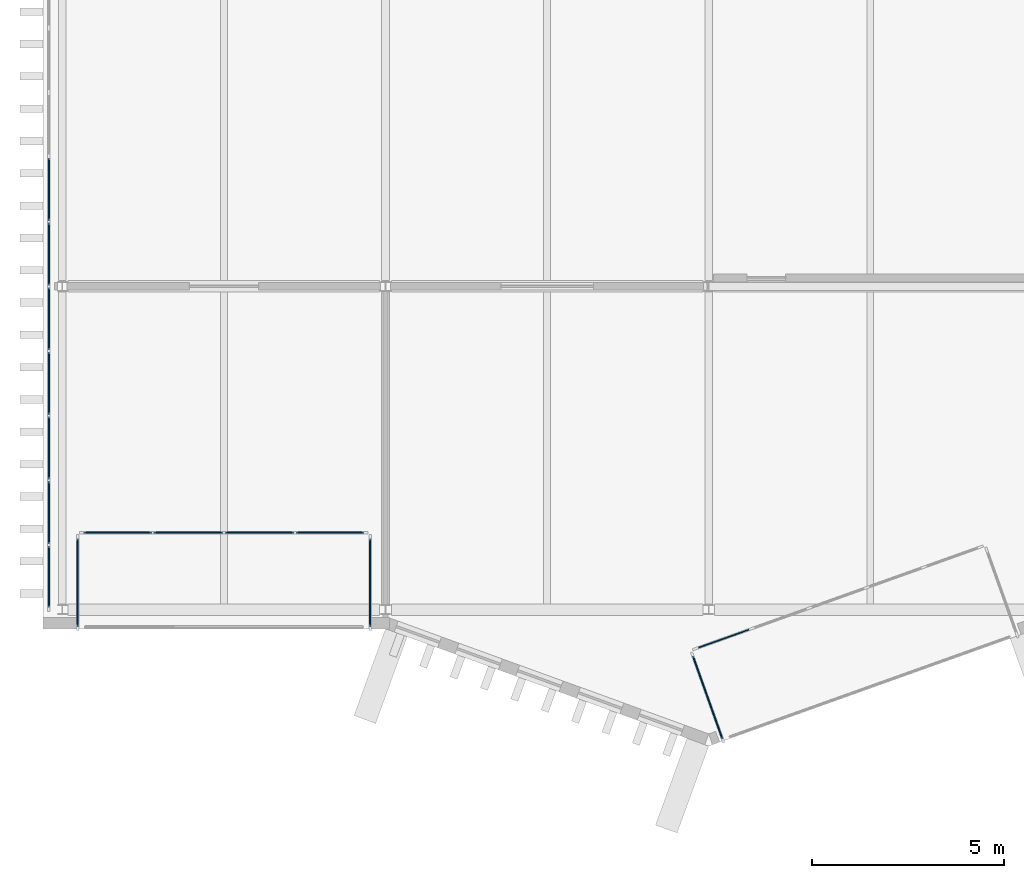
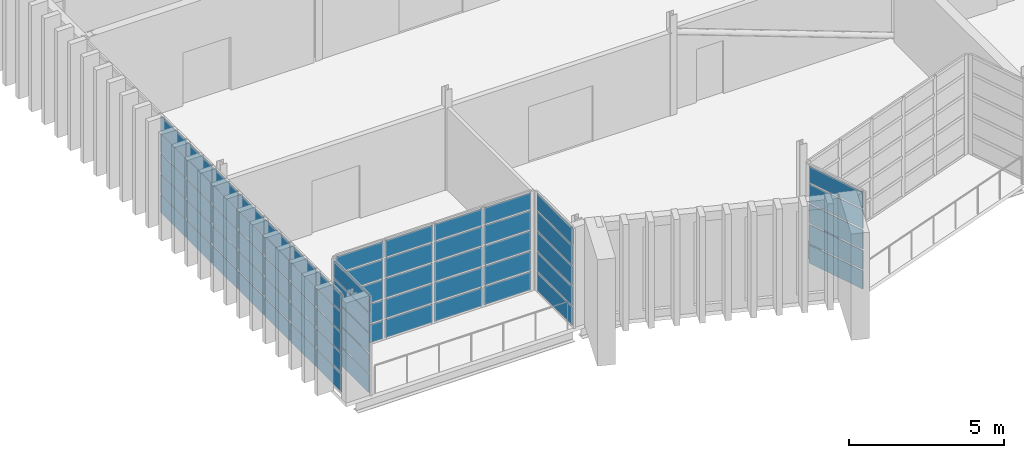
# One storey, part 41 of 88: 71 plates, 6 elements without a shape of their own.
"""IFC4 building model written with IfcOpenShell, lengths in metres."""

from ifc_helpers import new_model, si_unit, direction, frame, origin, origin_2d, place, context, subcontext, project, spatial, rectangle, extrude, material, layer, layer_set, type_object, element, aggregate, save


model = new_model("IFC4")

# Units and contexts
model_context = context("Model", 3, precision=1e-05, world=origin(), true_north=direction((0.0, 1.0)))
body_context = subcontext(model_context, "Body", "Model", "MODEL_VIEW")
ifc_project = project(units=[si_unit("LENGTHUNIT", "METRE"), si_unit("AREAUNIT", "SQUARE_METRE"), si_unit("VOLUMEUNIT", "CUBIC_METRE"), si_unit("PLANEANGLEUNIT", "RADIAN"), si_unit("MASSUNIT", "GRAM", prefix="KILO")], contexts=[model_context])

# Site, building, storey
site_placement = place(None, origin())
site = spatial("IfcSite", under=ifc_project, at=site_placement, CompositionType="ELEMENT")
building_placement = place(site_placement, origin())
building = spatial("IfcBuilding", under=site, at=building_placement, Name="Cresset Court Congress Hotel", CompositionType="ELEMENT")
storey_placement = place(building_placement, frame((0.0, 0.0, 14.39990234375)))
storey = spatial("IfcBuildingStorey", under=building, at=storey_placement, Name="L03", CompositionType="ELEMENT", Elevation=14.39990234375)

# Curtain wall, plates
ifc_material_1 = material(Name="Aluminium frame with double glazing", Category="aluminium")
ifc_layer_1 = layer(ifc_material_1, 0.199951171875)
ifc_layer_set_1 = layer_set([ifc_layer_1], Name="Glazed box curtain wall 1680 module")
curtain_wall_type = type_object("IfcCurtainWallType", Name="Glazed box curtain wall 1680 module", PredefinedType="NOTDEFINED", material=ifc_layer_set_1)
curtain_wall_1_placement = place(storey_placement, origin())
curtain_wall_1 = element("IfcCurtainWall", 1, at=curtain_wall_1_placement, inside=storey, type_object=curtain_wall_type, Name="Glazed box S0302 front", PredefinedType="NOTDEFINED")
ifc_material_2 = material(Name="Toughened double glazing", Category="glass")
ifc_layer_2 = layer(ifc_material_2, 0.028076171875)
ifc_layer_set_2 = layer_set([ifc_layer_2], Name="Box glass panel 28")
plate_type_1 = type_object("IfcPlateType", Name="Box glass panel 28", PredefinedType="CURTAIN_PANEL", material=ifc_layer_set_2)
plate_1_placement = place(storey_placement, frame((9.840087890625, 2.0, 0.06005859375), z_axis=(0.0, 0.0, 1.0), x_axis=(1.0, 0.0, 0.0)))
plate_1 = element("IfcPlate", 2, at=plate_1_placement, type_object=plate_type_1, Name="B-X1 panel 1.1", PredefinedType="CURTAIN_PANEL", context=body_context, shape_type="SweptSolid", body=[
    extrude(rectangle(XDim=1.760009765625, YDim=0.028076171875, at=origin_2d()), origin(), (0.0, 0.0, 1.0), 0.715087890625),
])
plate_2_placement = place(storey_placement, frame((9.840087890625, 2.0, 0.8349609375), z_axis=(0.0, 0.0, 1.0), x_axis=(1.0, 0.0, 0.0)))
plate_2 = element("IfcPlate", 3, at=plate_2_placement, type_object=plate_type_1, Name="B-X1 panel 1.2", PredefinedType="CURTAIN_PANEL", context=body_context, shape_type="SweptSolid", body=[
    extrude(rectangle(XDim=1.760009765625, YDim=0.028076171875, at=origin_2d()), origin(), (0.0, 0.0, 1.0), 0.7451171875),
])
plate_3_placement = place(storey_placement, frame((9.840087890625, 2.0, 1.64013671875), z_axis=(0.0, 0.0, 1.0), x_axis=(1.0, 0.0, 0.0)))
plate_3 = element("IfcPlate", 4, at=plate_3_placement, type_object=plate_type_1, Name="B-X1 panel 1.3", PredefinedType="CURTAIN_PANEL", context=body_context, shape_type="SweptSolid", body=[
    extrude(rectangle(XDim=1.760009765625, YDim=0.028076171875, at=origin_2d()), origin(), (0.0, 0.0, 1.0), 0.7451171875),
])
plate_4_placement = place(storey_placement, frame((9.840087890625, 2.0, 2.445068359375), z_axis=(0.0, 0.0, 1.0), x_axis=(1.0, 0.0, 0.0)))
plate_4 = element("IfcPlate", 5, at=plate_4_placement, type_object=plate_type_1, Name="B-X1 panel 1.4", PredefinedType="CURTAIN_PANEL", context=body_context, shape_type="SweptSolid", body=[
    extrude(rectangle(XDim=1.760009765625, YDim=0.028076171875, at=origin_2d()), origin(), (0.0, 0.0, 1.0), 0.7451171875),
])
plate_5_placement = place(storey_placement, frame((11.675048828125, 2.0, 0.06005859375), z_axis=(0.0, 0.0, 1.0), x_axis=(1.0, 0.0, 0.0)))
plate_5 = element("IfcPlate", 6, at=plate_5_placement, type_object=plate_type_1, Name="B-X1 panel 2.1", PredefinedType="CURTAIN_PANEL", context=body_context, shape_type="SweptSolid", body=[
    extrude(rectangle(XDim=1.7900390625, YDim=0.028076171875, at=origin_2d()), origin(), (0.0, 0.0, 1.0), 0.715087890625),
])
plate_6_placement = place(storey_placement, frame((11.675048828125, 2.0, 0.8349609375), z_axis=(0.0, 0.0, 1.0), x_axis=(1.0, 0.0, 0.0)))
plate_6 = element("IfcPlate", 7, at=plate_6_placement, type_object=plate_type_1, Name="B-X1 panel 2.2", PredefinedType="CURTAIN_PANEL", context=body_context, shape_type="SweptSolid", body=[
    extrude(rectangle(XDim=1.7900390625, YDim=0.028076171875, at=origin_2d()), origin(), (0.0, 0.0, 1.0), 0.7451171875),
])
plate_7_placement = place(storey_placement, frame((11.675048828125, 2.0, 1.64013671875), z_axis=(0.0, 0.0, 1.0), x_axis=(1.0, 0.0, 0.0)))
plate_7 = element("IfcPlate", 8, at=plate_7_placement, type_object=plate_type_1, Name="B-X1 panel 2.3", PredefinedType="CURTAIN_PANEL", context=body_context, shape_type="SweptSolid", body=[
    extrude(rectangle(XDim=1.7900390625, YDim=0.028076171875, at=origin_2d()), origin(), (0.0, 0.0, 1.0), 0.7451171875),
])
plate_8_placement = place(storey_placement, frame((11.675048828125, 2.0, 2.445068359375), z_axis=(0.0, 0.0, 1.0), x_axis=(1.0, 0.0, 0.0)))
plate_8 = element("IfcPlate", 9, at=plate_8_placement, type_object=plate_type_1, Name="B-X1 panel 2.4", PredefinedType="CURTAIN_PANEL", context=body_context, shape_type="SweptSolid", body=[
    extrude(rectangle(XDim=1.7900390625, YDim=0.028076171875, at=origin_2d()), origin(), (0.0, 0.0, 1.0), 0.7451171875),
])
plate_9_placement = place(storey_placement, frame((13.52490234375, 2.0, 0.06005859375), z_axis=(0.0, 0.0, 1.0), x_axis=(1.0, 0.0, 0.0)))
plate_9 = element("IfcPlate", 10, at=plate_9_placement, type_object=plate_type_1, Name="B-X1 panel 3.1", PredefinedType="CURTAIN_PANEL", context=body_context, shape_type="SweptSolid", body=[
    extrude(rectangle(XDim=1.7900390625, YDim=0.028076171875, at=origin_2d()), origin(), (0.0, 0.0, 1.0), 0.715087890625),
])
plate_10_placement = place(storey_placement, frame((13.52490234375, 2.0, 0.8349609375), z_axis=(0.0, 0.0, 1.0), x_axis=(1.0, 0.0, 0.0)))
plate_10 = element("IfcPlate", 11, at=plate_10_placement, type_object=plate_type_1, Name="B-X1 panel 3.2", PredefinedType="CURTAIN_PANEL", context=body_context, shape_type="SweptSolid", body=[
    extrude(rectangle(XDim=1.7900390625, YDim=0.028076171875, at=origin_2d()), origin(), (0.0, 0.0, 1.0), 0.7451171875),
])
plate_11_placement = place(storey_placement, frame((13.52490234375, 2.0, 1.64013671875), z_axis=(0.0, 0.0, 1.0), x_axis=(1.0, 0.0, 0.0)))
plate_11 = element("IfcPlate", 12, at=plate_11_placement, type_object=plate_type_1, Name="B-X1 panel 3.3", PredefinedType="CURTAIN_PANEL", context=body_context, shape_type="SweptSolid", body=[
    extrude(rectangle(XDim=1.7900390625, YDim=0.028076171875, at=origin_2d()), origin(), (0.0, 0.0, 1.0), 0.7451171875),
])
plate_12_placement = place(storey_placement, frame((13.52490234375, 2.0, 2.445068359375), z_axis=(0.0, 0.0, 1.0), x_axis=(1.0, 0.0, 0.0)))
plate_12 = element("IfcPlate", 13, at=plate_12_placement, type_object=plate_type_1, Name="B-X1 panel 3.4", PredefinedType="CURTAIN_PANEL", context=body_context, shape_type="SweptSolid", body=[
    extrude(rectangle(XDim=1.7900390625, YDim=0.028076171875, at=origin_2d()), origin(), (0.0, 0.0, 1.0), 0.7451171875),
])
plate_13_placement = place(storey_placement, frame((15.360107421875, 2.0, 0.06005859375), z_axis=(0.0, 0.0, 1.0), x_axis=(1.0, 0.0, 0.0)))
plate_13 = element("IfcPlate", 14, at=plate_13_placement, type_object=plate_type_1, Name="B-X1 panel 4.1", PredefinedType="CURTAIN_PANEL", context=body_context, shape_type="SweptSolid", body=[
    extrude(rectangle(XDim=1.760009765625, YDim=0.028076171875, at=origin_2d()), origin(), (0.0, 0.0, 1.0), 0.715087890625),
])
plate_14_placement = place(storey_placement, frame((15.360107421875, 2.0, 0.8349609375), z_axis=(0.0, 0.0, 1.0), x_axis=(1.0, 0.0, 0.0)))
plate_14 = element("IfcPlate", 15, at=plate_14_placement, type_object=plate_type_1, Name="B-X1 panel 4.2", PredefinedType="CURTAIN_PANEL", context=body_context, shape_type="SweptSolid", body=[
    extrude(rectangle(XDim=1.760009765625, YDim=0.028076171875, at=origin_2d()), origin(), (0.0, 0.0, 1.0), 0.7451171875),
])
plate_15_placement = place(storey_placement, frame((15.360107421875, 2.0, 1.64013671875), z_axis=(0.0, 0.0, 1.0), x_axis=(1.0, 0.0, 0.0)))
plate_15 = element("IfcPlate", 16, at=plate_15_placement, type_object=plate_type_1, Name="B-X1 panel 4.3", PredefinedType="CURTAIN_PANEL", context=body_context, shape_type="SweptSolid", body=[
    extrude(rectangle(XDim=1.760009765625, YDim=0.028076171875, at=origin_2d()), origin(), (0.0, 0.0, 1.0), 0.7451171875),
])
plate_16_placement = place(storey_placement, frame((15.360107421875, 2.0, 2.445068359375), z_axis=(0.0, 0.0, 1.0), x_axis=(1.0, 0.0, 0.0)))
plate_16 = element("IfcPlate", 17, at=plate_16_placement, type_object=plate_type_1, Name="B-X1 panel 4.4", PredefinedType="CURTAIN_PANEL", context=body_context, shape_type="SweptSolid", body=[
    extrude(rectangle(XDim=1.760009765625, YDim=0.028076171875, at=origin_2d()), origin(), (0.0, 0.0, 1.0), 0.7451171875),
])

curtain_wall_2_placement = place(storey_placement, origin())
curtain_wall_2 = element("IfcCurtainWall", 18, at=curtain_wall_2_placement, inside=storey, type_object=curtain_wall_type, Name="Glazed box S0302 side", PredefinedType="NOTDEFINED")
plate_17_placement = place(storey_placement, frame((8.800048828125, 0.699951171875, 0.06005859375), z_axis=(0.0, 0.0, 1.0), x_axis=(0.0, 1.0, 0.0)))
plate_17 = element("IfcPlate", 19, at=plate_17_placement, type_object=plate_type_1, Name="B-X1 panel 1.1", PredefinedType="CURTAIN_PANEL", context=body_context, shape_type="SweptSolid", body=[
    extrude(rectangle(XDim=2.280029296875, YDim=0.028076171875, at=origin_2d()), origin(), (0.0, 0.0, 1.0), 0.715087890625),
])
plate_18_placement = place(storey_placement, frame((8.800048828125, 0.699951171875, 0.8349609375), z_axis=(0.0, 0.0, 1.0), x_axis=(0.0, 1.0, 0.0)))
plate_18 = element("IfcPlate", 20, at=plate_18_placement, type_object=plate_type_1, Name="B-X1 panel 1.2", PredefinedType="CURTAIN_PANEL", context=body_context, shape_type="SweptSolid", body=[
    extrude(rectangle(XDim=2.280029296875, YDim=0.028076171875, at=origin_2d()), origin(), (0.0, 0.0, 1.0), 0.7451171875),
])
plate_19_placement = place(storey_placement, frame((8.800048828125, 0.699951171875, 1.64013671875), z_axis=(0.0, 0.0, 1.0), x_axis=(0.0, 1.0, 0.0)))
plate_19 = element("IfcPlate", 21, at=plate_19_placement, type_object=plate_type_1, Name="B-X1 panel 1.3", PredefinedType="CURTAIN_PANEL", context=body_context, shape_type="SweptSolid", body=[
    extrude(rectangle(XDim=2.280029296875, YDim=0.028076171875, at=origin_2d()), origin(), (0.0, 0.0, 1.0), 0.7451171875),
])
plate_20_placement = place(storey_placement, frame((8.800048828125, 0.699951171875, 2.445068359375), z_axis=(0.0, 0.0, 1.0), x_axis=(0.0, 1.0, 0.0)))
plate_20 = element("IfcPlate", 22, at=plate_20_placement, type_object=plate_type_1, Name="B-X1 panel 1.4", PredefinedType="CURTAIN_PANEL", context=body_context, shape_type="SweptSolid", body=[
    extrude(rectangle(XDim=2.280029296875, YDim=0.028076171875, at=origin_2d()), origin(), (0.0, 0.0, 1.0), 0.7451171875),
])

curtain_wall_3_placement = place(storey_placement, origin())
curtain_wall_3 = element("IfcCurtainWall", 23, at=curtain_wall_3_placement, inside=storey, type_object=curtain_wall_type, Name="Glazed box S0302 side", PredefinedType="NOTDEFINED")
plate_21_placement = place(storey_placement, frame((16.39990234375, 0.699951171875, 0.06005859375), z_axis=(0.0, 0.0, 1.0), x_axis=(0.0, 1.0, 0.0)))
plate_21 = element("IfcPlate", 24, at=plate_21_placement, type_object=plate_type_1, Name="B-X1 panel 1.1", PredefinedType="CURTAIN_PANEL", context=body_context, shape_type="SweptSolid", body=[
    extrude(rectangle(XDim=2.280029296875, YDim=0.028076171875, at=origin_2d()), origin(), (0.0, 0.0, 1.0), 0.715087890625),
])
plate_22_placement = place(storey_placement, frame((16.39990234375, 0.699951171875, 0.8349609375), z_axis=(0.0, 0.0, 1.0), x_axis=(0.0, 1.0, 0.0)))
plate_22 = element("IfcPlate", 25, at=plate_22_placement, type_object=plate_type_1, Name="B-X1 panel 1.2", PredefinedType="CURTAIN_PANEL", context=body_context, shape_type="SweptSolid", body=[
    extrude(rectangle(XDim=2.280029296875, YDim=0.028076171875, at=origin_2d()), origin(), (0.0, 0.0, 1.0), 0.7451171875),
])
plate_23_placement = place(storey_placement, frame((16.39990234375, 0.699951171875, 1.64013671875), z_axis=(0.0, 0.0, 1.0), x_axis=(0.0, 1.0, 0.0)))
plate_23 = element("IfcPlate", 26, at=plate_23_placement, type_object=plate_type_1, Name="B-X1 panel 1.3", PredefinedType="CURTAIN_PANEL", context=body_context, shape_type="SweptSolid", body=[
    extrude(rectangle(XDim=2.280029296875, YDim=0.028076171875, at=origin_2d()), origin(), (0.0, 0.0, 1.0), 0.7451171875),
])
plate_24_placement = place(storey_placement, frame((16.39990234375, 0.699951171875, 2.445068359375), z_axis=(0.0, 0.0, 1.0), x_axis=(0.0, 1.0, 0.0)))
plate_24 = element("IfcPlate", 27, at=plate_24_placement, type_object=plate_type_1, Name="B-X1 panel 1.4", PredefinedType="CURTAIN_PANEL", context=body_context, shape_type="SweptSolid", body=[
    extrude(rectangle(XDim=2.280029296875, YDim=0.028076171875, at=origin_2d()), origin(), (0.0, 0.0, 1.0), 0.7451171875),
])

# Curtain wall, plate
curtain_wall_4_placement = place(storey_placement, origin())
curtain_wall_4 = element("IfcCurtainWall", 28, at=curtain_wall_4_placement, inside=storey, type_object=curtain_wall_type, Name="Glazed box S0305 front", PredefinedType="NOTDEFINED")
plate_25_placement = place(storey_placement, frame((25.590087890625, -0.756103515625, 0.06005859375), z_axis=(0.0, 0.0, 1.0), x_axis=(0.941741911601, 0.336336396981, 0.0)))
plate_25 = element("IfcPlate", 29, at=plate_25_placement, type_object=plate_type_1, Name="B-X1 panel 1.1", PredefinedType="CURTAIN_PANEL", context=body_context, shape_type="SweptSolid", body=[
    extrude(rectangle(XDim=1.493896484375, YDim=0.028076171875, at=origin_2d()), origin(), (0.0, 0.0, 1.0), 0.715087890625),
])
aggregate(curtain_wall_4, [plate_25])

# Curtain wall, plates
curtain_wall_5_placement = place(storey_placement, origin())
curtain_wall_5 = element("IfcCurtainWall", 30, at=curtain_wall_5_placement, inside=storey, type_object=curtain_wall_type, Name="Glazed box S0305 side", PredefinedType="NOTDEFINED")
plate_26_placement = place(storey_placement, frame((25.173095703125, -2.285400390625, 0.06005859375), z_axis=(0.0, 0.0, 1.0), x_axis=(-0.336336397047, 0.941741911578, 0.0)))
plate_26 = element("IfcPlate", 31, at=plate_26_placement, type_object=plate_type_1, Name="B-X1 panel 1.1", PredefinedType="CURTAIN_PANEL", context=body_context, shape_type="SweptSolid", body=[
    extrude(rectangle(XDim=2.280029296875, YDim=0.028076171875, at=origin_2d()), origin(), (0.0, 0.0, 1.0), 0.715087890625),
])
plate_27_placement = place(storey_placement, frame((25.173095703125, -2.285400390625, 0.8349609375), z_axis=(0.0, 0.0, 1.0), x_axis=(-0.336336397047, 0.941741911578, 0.0)))
plate_27 = element("IfcPlate", 32, at=plate_27_placement, type_object=plate_type_1, Name="B-X1 panel 1.2", PredefinedType="CURTAIN_PANEL", context=body_context, shape_type="SweptSolid", body=[
    extrude(rectangle(XDim=2.280029296875, YDim=0.028076171875, at=origin_2d()), origin(), (0.0, 0.0, 1.0), 0.7451171875),
])
plate_28_placement = place(storey_placement, frame((25.173095703125, -2.285400390625, 1.64013671875), z_axis=(0.0, 0.0, 1.0), x_axis=(-0.336336397047, 0.941741911578, 0.0)))
plate_28 = element("IfcPlate", 33, at=plate_28_placement, type_object=plate_type_1, Name="B-X1 panel 1.3", PredefinedType="CURTAIN_PANEL", context=body_context, shape_type="SweptSolid", body=[
    extrude(rectangle(XDim=2.280029296875, YDim=0.028076171875, at=origin_2d()), origin(), (0.0, 0.0, 1.0), 0.7451171875),
])
plate_29_placement = place(storey_placement, frame((25.173095703125, -2.285400390625, 2.445068359375), z_axis=(0.0, 0.0, 1.0), x_axis=(-0.336336397047, 0.941741911578, 0.0)))
plate_29 = element("IfcPlate", 34, at=plate_29_placement, type_object=plate_type_1, Name="B-X1 panel 1.4", PredefinedType="CURTAIN_PANEL", context=body_context, shape_type="SweptSolid", body=[
    extrude(rectangle(XDim=2.280029296875, YDim=0.028076171875, at=origin_2d()), origin(), (0.0, 0.0, 1.0), 0.7451171875),
])

curtain_wall_6_placement = place(storey_placement, origin())
curtain_wall_6 = element("IfcCurtainWall", 35, at=curtain_wall_6_placement, inside=storey, type_object=curtain_wall_type, Name="Foyer glazed front L03", PredefinedType="NOTDEFINED")
plate_30_placement = place(storey_placement, frame((8.050048828125, 0.85498046875, 0.06005859375), z_axis=(0.0, 0.0, 1.0), x_axis=(0.0, 1.0, 0.0)))
plate_30 = element("IfcPlate", 36, at=plate_30_placement, type_object=plate_type_1, Name="B-X1 panel 1.1", PredefinedType="CURTAIN_PANEL", context=body_context, shape_type="SweptSolid", body=[
    extrude(rectangle(XDim=1.590087890625, YDim=0.028076171875, at=origin_2d()), origin(), (0.0, 0.0, 1.0), 0.715087890625),
])
plate_31_placement = place(storey_placement, frame((8.050048828125, 0.85498046875, 0.8349609375), z_axis=(0.0, 0.0, 1.0), x_axis=(0.0, 1.0, 0.0)))
plate_31 = element("IfcPlate", 37, at=plate_31_placement, type_object=plate_type_1, Name="B-X1 panel 1.2", PredefinedType="CURTAIN_PANEL", context=body_context, shape_type="SweptSolid", body=[
    extrude(rectangle(XDim=1.590087890625, YDim=0.028076171875, at=origin_2d()), origin(), (0.0, 0.0, 1.0), 0.7451171875),
])
plate_32_placement = place(storey_placement, frame((8.050048828125, 0.85498046875, 1.64013671875), z_axis=(0.0, 0.0, 1.0), x_axis=(0.0, 1.0, 0.0)))
plate_32 = element("IfcPlate", 38, at=plate_32_placement, type_object=plate_type_1, Name="B-X1 panel 1.3", PredefinedType="CURTAIN_PANEL", context=body_context, shape_type="SweptSolid", body=[
    extrude(rectangle(XDim=1.590087890625, YDim=0.028076171875, at=origin_2d()), origin(), (0.0, 0.0, 1.0), 0.7451171875),
])
plate_33_placement = place(storey_placement, frame((8.050048828125, 0.85498046875, 2.445068359375), z_axis=(0.0, 0.0, 1.0), x_axis=(0.0, 1.0, 0.0)))
plate_33 = element("IfcPlate", 39, at=plate_33_placement, type_object=plate_type_1, Name="B-X1 panel 1.4", PredefinedType="CURTAIN_PANEL", context=body_context, shape_type="SweptSolid", body=[
    extrude(rectangle(XDim=1.590087890625, YDim=0.028076171875, at=origin_2d()), origin(), (0.0, 0.0, 1.0), 0.7451171875),
])
plate_34_placement = place(storey_placement, frame((8.050048828125, 2.52001953125, 0.06005859375), z_axis=(0.0, 0.0, 1.0), x_axis=(0.0, 1.0, 0.0)))
plate_34 = element("IfcPlate", 40, at=plate_34_placement, type_object=plate_type_1, Name="B-X1 panel 2.1", PredefinedType="CURTAIN_PANEL", context=body_context, shape_type="SweptSolid", body=[
    extrude(rectangle(XDim=1.6201171875, YDim=0.028076171875, at=origin_2d()), origin(), (0.0, 0.0, 1.0), 0.715087890625),
])
plate_35_placement = place(storey_placement, frame((8.050048828125, 2.52001953125, 0.8349609375), z_axis=(0.0, 0.0, 1.0), x_axis=(0.0, 1.0, 0.0)))
plate_35 = element("IfcPlate", 41, at=plate_35_placement, type_object=plate_type_1, Name="B-X1 panel 2.2", PredefinedType="CURTAIN_PANEL", context=body_context, shape_type="SweptSolid", body=[
    extrude(rectangle(XDim=1.6201171875, YDim=0.028076171875, at=origin_2d()), origin(), (0.0, 0.0, 1.0), 0.7451171875),
])
plate_36_placement = place(storey_placement, frame((8.050048828125, 2.52001953125, 1.64013671875), z_axis=(0.0, 0.0, 1.0), x_axis=(0.0, 1.0, 0.0)))
plate_36 = element("IfcPlate", 42, at=plate_36_placement, type_object=plate_type_1, Name="B-X1 panel 2.3", PredefinedType="CURTAIN_PANEL", context=body_context, shape_type="SweptSolid", body=[
    extrude(rectangle(XDim=1.6201171875, YDim=0.028076171875, at=origin_2d()), origin(), (0.0, 0.0, 1.0), 0.7451171875),
])
plate_37_placement = place(storey_placement, frame((8.050048828125, 2.52001953125, 2.445068359375), z_axis=(0.0, 0.0, 1.0), x_axis=(0.0, 1.0, 0.0)))
plate_37 = element("IfcPlate", 43, at=plate_37_placement, type_object=plate_type_1, Name="B-X1 panel 2.4", PredefinedType="CURTAIN_PANEL", context=body_context, shape_type="SweptSolid", body=[
    extrude(rectangle(XDim=1.6201171875, YDim=0.028076171875, at=origin_2d()), origin(), (0.0, 0.0, 1.0), 0.7451171875),
])
plate_38_placement = place(storey_placement, frame((8.050048828125, 4.199951171875, 0.06005859375), z_axis=(0.0, 0.0, 1.0), x_axis=(0.0, 1.0, 0.0)))
plate_38 = element("IfcPlate", 44, at=plate_38_placement, type_object=plate_type_1, Name="B-X1 panel 3.1", PredefinedType="CURTAIN_PANEL", context=body_context, shape_type="SweptSolid", body=[
    extrude(rectangle(XDim=1.6201171875, YDim=0.028076171875, at=origin_2d()), origin(), (0.0, 0.0, 1.0), 0.715087890625),
])
plate_39_placement = place(storey_placement, frame((8.050048828125, 4.199951171875, 0.8349609375), z_axis=(0.0, 0.0, 1.0), x_axis=(0.0, 1.0, 0.0)))
plate_39 = element("IfcPlate", 45, at=plate_39_placement, type_object=plate_type_1, Name="B-X1 panel 3.2", PredefinedType="CURTAIN_PANEL", context=body_context, shape_type="SweptSolid", body=[
    extrude(rectangle(XDim=1.6201171875, YDim=0.028076171875, at=origin_2d()), origin(), (0.0, 0.0, 1.0), 0.7451171875),
])
plate_40_placement = place(storey_placement, frame((8.050048828125, 4.199951171875, 1.64013671875), z_axis=(0.0, 0.0, 1.0), x_axis=(0.0, 1.0, 0.0)))
plate_40 = element("IfcPlate", 46, at=plate_40_placement, type_object=plate_type_1, Name="B-X1 panel 3.3", PredefinedType="CURTAIN_PANEL", context=body_context, shape_type="SweptSolid", body=[
    extrude(rectangle(XDim=1.6201171875, YDim=0.028076171875, at=origin_2d()), origin(), (0.0, 0.0, 1.0), 0.7451171875),
])
plate_41_placement = place(storey_placement, frame((8.050048828125, 4.199951171875, 2.445068359375), z_axis=(0.0, 0.0, 1.0), x_axis=(0.0, 1.0, 0.0)))
plate_41 = element("IfcPlate", 47, at=plate_41_placement, type_object=plate_type_1, Name="B-X1 panel 3.4", PredefinedType="CURTAIN_PANEL", context=body_context, shape_type="SweptSolid", body=[
    extrude(rectangle(XDim=1.6201171875, YDim=0.028076171875, at=origin_2d()), origin(), (0.0, 0.0, 1.0), 0.7451171875),
])
plate_42_placement = place(storey_placement, frame((8.050048828125, 5.8798828125, 0.06005859375), z_axis=(0.0, 0.0, 1.0), x_axis=(0.0, 1.0, 0.0)))
plate_42 = element("IfcPlate", 48, at=plate_42_placement, type_object=plate_type_1, Name="B-X1 panel 4.1", PredefinedType="CURTAIN_PANEL", context=body_context, shape_type="SweptSolid", body=[
    extrude(rectangle(XDim=1.6201171875, YDim=0.028076171875, at=origin_2d()), origin(), (0.0, 0.0, 1.0), 0.715087890625),
])
plate_43_placement = place(storey_placement, frame((8.050048828125, 5.8798828125, 0.8349609375), z_axis=(0.0, 0.0, 1.0), x_axis=(0.0, 1.0, 0.0)))
plate_43 = element("IfcPlate", 49, at=plate_43_placement, type_object=plate_type_1, Name="B-X1 panel 4.2", PredefinedType="CURTAIN_PANEL", context=body_context, shape_type="SweptSolid", body=[
    extrude(rectangle(XDim=1.6201171875, YDim=0.028076171875, at=origin_2d()), origin(), (0.0, 0.0, 1.0), 0.7451171875),
])
plate_44_placement = place(storey_placement, frame((8.050048828125, 5.8798828125, 1.64013671875), z_axis=(0.0, 0.0, 1.0), x_axis=(0.0, 1.0, 0.0)))
plate_44 = element("IfcPlate", 50, at=plate_44_placement, type_object=plate_type_1, Name="B-X1 panel 4.3", PredefinedType="CURTAIN_PANEL", context=body_context, shape_type="SweptSolid", body=[
    extrude(rectangle(XDim=1.6201171875, YDim=0.028076171875, at=origin_2d()), origin(), (0.0, 0.0, 1.0), 0.7451171875),
])
plate_45_placement = place(storey_placement, frame((8.050048828125, 5.8798828125, 2.445068359375), z_axis=(0.0, 0.0, 1.0), x_axis=(0.0, 1.0, 0.0)))
plate_45 = element("IfcPlate", 51, at=plate_45_placement, type_object=plate_type_1, Name="B-X1 panel 4.4", PredefinedType="CURTAIN_PANEL", context=body_context, shape_type="SweptSolid", body=[
    extrude(rectangle(XDim=1.6201171875, YDim=0.028076171875, at=origin_2d()), origin(), (0.0, 0.0, 1.0), 0.7451171875),
])
plate_46_placement = place(storey_placement, frame((8.050048828125, 7.56005859375, 0.06005859375), z_axis=(0.0, 0.0, 1.0), x_axis=(0.0, 1.0, 0.0)))
plate_46 = element("IfcPlate", 52, at=plate_46_placement, type_object=plate_type_1, Name="B-X1 panel 5.1", PredefinedType="CURTAIN_PANEL", context=body_context, shape_type="SweptSolid", body=[
    extrude(rectangle(XDim=1.6201171875, YDim=0.028076171875, at=origin_2d()), origin(), (0.0, 0.0, 1.0), 0.715087890625),
])
plate_47_placement = place(storey_placement, frame((8.050048828125, 7.56005859375, 0.8349609375), z_axis=(0.0, 0.0, 1.0), x_axis=(0.0, 1.0, 0.0)))
plate_47 = element("IfcPlate", 53, at=plate_47_placement, type_object=plate_type_1, Name="B-X1 panel 5.2", PredefinedType="CURTAIN_PANEL", context=body_context, shape_type="SweptSolid", body=[
    extrude(rectangle(XDim=1.6201171875, YDim=0.028076171875, at=origin_2d()), origin(), (0.0, 0.0, 1.0), 0.7451171875),
])
plate_48_placement = place(storey_placement, frame((8.050048828125, 7.56005859375, 1.64013671875), z_axis=(0.0, 0.0, 1.0), x_axis=(0.0, 1.0, 0.0)))
plate_48 = element("IfcPlate", 54, at=plate_48_placement, type_object=plate_type_1, Name="B-X1 panel 5.3", PredefinedType="CURTAIN_PANEL", context=body_context, shape_type="SweptSolid", body=[
    extrude(rectangle(XDim=1.6201171875, YDim=0.028076171875, at=origin_2d()), origin(), (0.0, 0.0, 1.0), 0.7451171875),
])
plate_49_placement = place(storey_placement, frame((8.050048828125, 7.56005859375, 2.445068359375), z_axis=(0.0, 0.0, 1.0), x_axis=(0.0, 1.0, 0.0)))
plate_49 = element("IfcPlate", 55, at=plate_49_placement, type_object=plate_type_1, Name="B-X1 panel 5.4", PredefinedType="CURTAIN_PANEL", context=body_context, shape_type="SweptSolid", body=[
    extrude(rectangle(XDim=1.6201171875, YDim=0.028076171875, at=origin_2d()), origin(), (0.0, 0.0, 1.0), 0.7451171875),
])
plate_50_placement = place(storey_placement, frame((8.050048828125, 9.239990234375, 0.06005859375), z_axis=(0.0, 0.0, 1.0), x_axis=(0.0, 1.0, 0.0)))
plate_50 = element("IfcPlate", 56, at=plate_50_placement, type_object=plate_type_1, Name="B-X1 panel 6.1", PredefinedType="CURTAIN_PANEL", context=body_context, shape_type="SweptSolid", body=[
    extrude(rectangle(XDim=1.6201171875, YDim=0.028076171875, at=origin_2d()), origin(), (0.0, 0.0, 1.0), 0.715087890625),
])
plate_51_placement = place(storey_placement, frame((8.050048828125, 9.239990234375, 0.8349609375), z_axis=(0.0, 0.0, 1.0), x_axis=(0.0, 1.0, 0.0)))
plate_51 = element("IfcPlate", 57, at=plate_51_placement, type_object=plate_type_1, Name="B-X1 panel 6.2", PredefinedType="CURTAIN_PANEL", context=body_context, shape_type="SweptSolid", body=[
    extrude(rectangle(XDim=1.6201171875, YDim=0.028076171875, at=origin_2d()), origin(), (0.0, 0.0, 1.0), 0.7451171875),
])
plate_52_placement = place(storey_placement, frame((8.050048828125, 9.239990234375, 1.64013671875), z_axis=(0.0, 0.0, 1.0), x_axis=(0.0, 1.0, 0.0)))
plate_52 = element("IfcPlate", 58, at=plate_52_placement, type_object=plate_type_1, Name="B-X1 panel 6.3", PredefinedType="CURTAIN_PANEL", context=body_context, shape_type="SweptSolid", body=[
    extrude(rectangle(XDim=1.6201171875, YDim=0.028076171875, at=origin_2d()), origin(), (0.0, 0.0, 1.0), 0.7451171875),
])
plate_53_placement = place(storey_placement, frame((8.050048828125, 9.239990234375, 2.445068359375), z_axis=(0.0, 0.0, 1.0), x_axis=(0.0, 1.0, 0.0)))
plate_53 = element("IfcPlate", 59, at=plate_53_placement, type_object=plate_type_1, Name="B-X1 panel 6.4", PredefinedType="CURTAIN_PANEL", context=body_context, shape_type="SweptSolid", body=[
    extrude(rectangle(XDim=1.6201171875, YDim=0.028076171875, at=origin_2d()), origin(), (0.0, 0.0, 1.0), 0.7451171875),
])
plate_54_placement = place(storey_placement, frame((8.050048828125, 10.919921875, 0.06005859375), z_axis=(0.0, 0.0, 1.0), x_axis=(0.0, 1.0, 0.0)))
plate_54 = element("IfcPlate", 60, at=plate_54_placement, type_object=plate_type_1, Name="B-X1 panel 7.1", PredefinedType="CURTAIN_PANEL", context=body_context, shape_type="SweptSolid", body=[
    extrude(rectangle(XDim=1.6201171875, YDim=0.028076171875, at=origin_2d()), origin(), (0.0, 0.0, 1.0), 0.715087890625),
])
plate_55_placement = place(storey_placement, frame((8.050048828125, 10.919921875, 0.8349609375), z_axis=(0.0, 0.0, 1.0), x_axis=(0.0, 1.0, 0.0)))
plate_55 = element("IfcPlate", 61, at=plate_55_placement, type_object=plate_type_1, Name="B-X1 panel 7.2", PredefinedType="CURTAIN_PANEL", context=body_context, shape_type="SweptSolid", body=[
    extrude(rectangle(XDim=1.6201171875, YDim=0.028076171875, at=origin_2d()), origin(), (0.0, 0.0, 1.0), 0.7451171875),
])
plate_56_placement = place(storey_placement, frame((8.050048828125, 10.919921875, 1.64013671875), z_axis=(0.0, 0.0, 1.0), x_axis=(0.0, 1.0, 0.0)))
plate_56 = element("IfcPlate", 62, at=plate_56_placement, type_object=plate_type_1, Name="B-X1 panel 7.3", PredefinedType="CURTAIN_PANEL", context=body_context, shape_type="SweptSolid", body=[
    extrude(rectangle(XDim=1.6201171875, YDim=0.028076171875, at=origin_2d()), origin(), (0.0, 0.0, 1.0), 0.7451171875),
])
plate_57_placement = place(storey_placement, frame((8.050048828125, 10.919921875, 2.445068359375), z_axis=(0.0, 0.0, 1.0), x_axis=(0.0, 1.0, 0.0)))
plate_57 = element("IfcPlate", 63, at=plate_57_placement, type_object=plate_type_1, Name="B-X1 panel 7.4", PredefinedType="CURTAIN_PANEL", context=body_context, shape_type="SweptSolid", body=[
    extrude(rectangle(XDim=1.6201171875, YDim=0.028076171875, at=origin_2d()), origin(), (0.0, 0.0, 1.0), 0.7451171875),
])

# Plate
ifc_material_3 = material(Name="Insulated aluminium spandrel panel", Category="aluminium")
ifc_layer_3 = layer(ifc_material_3, 0.0400390625)
ifc_layer_set_3 = layer_set([ifc_layer_3], Name="Box spandrel panel 40")
plate_type_2 = type_object("IfcPlateType", Name="Box spandrel panel 40", PredefinedType="CURTAIN_PANEL", material=ifc_layer_set_3)
plate_58_placement = place(storey_placement, frame((9.840087890625, 2.0, 3.25), z_axis=(0.0, 0.0, 1.0), x_axis=(1.0, 0.0, 0.0)))
plate_58 = element("IfcPlate", 64, at=plate_58_placement, type_object=plate_type_2, Name="B-X1 spandrel panel 1.5", PredefinedType="CURTAIN_PANEL", context=body_context, shape_type="SweptSolid", body=[
    extrude(rectangle(XDim=1.760009765625, YDim=0.0400390625, at=origin_2d()), origin(), (0.0, 0.0, 1.0), 0.639892578125),
])

plate_59_placement = place(storey_placement, frame((11.675048828125, 2.0, 3.25), z_axis=(0.0, 0.0, 1.0), x_axis=(1.0, 0.0, 0.0)))
plate_59 = element("IfcPlate", 65, at=plate_59_placement, type_object=plate_type_2, Name="B-X1 spandrel panel 2.5", PredefinedType="CURTAIN_PANEL", context=body_context, shape_type="SweptSolid", body=[
    extrude(rectangle(XDim=1.7900390625, YDim=0.0400390625, at=origin_2d()), origin(), (0.0, 0.0, 1.0), 0.639892578125),
])

plate_60_placement = place(storey_placement, frame((13.52490234375, 2.0, 3.25), z_axis=(0.0, 0.0, 1.0), x_axis=(1.0, 0.0, 0.0)))
plate_60 = element("IfcPlate", 66, at=plate_60_placement, type_object=plate_type_2, Name="B-X1 spandrel panel 3.5", PredefinedType="CURTAIN_PANEL", context=body_context, shape_type="SweptSolid", body=[
    extrude(rectangle(XDim=1.7900390625, YDim=0.0400390625, at=origin_2d()), origin(), (0.0, 0.0, 1.0), 0.639892578125),
])

plate_61_placement = place(storey_placement, frame((15.360107421875, 2.0, 3.25), z_axis=(0.0, 0.0, 1.0), x_axis=(1.0, 0.0, 0.0)))
plate_61 = element("IfcPlate", 67, at=plate_61_placement, type_object=plate_type_2, Name="B-X1 spandrel panel 4.5", PredefinedType="CURTAIN_PANEL", context=body_context, shape_type="SweptSolid", body=[
    extrude(rectangle(XDim=1.760009765625, YDim=0.0400390625, at=origin_2d()), origin(), (0.0, 0.0, 1.0), 0.639892578125),
])

aggregate(curtain_wall_1, [plate_1, plate_2, plate_3, plate_4, plate_58, plate_5, plate_6, plate_7, plate_8, plate_59, plate_9, plate_10, plate_11, plate_12, plate_60, plate_13, plate_14, plate_15, plate_16, plate_61])

plate_62_placement = place(storey_placement, frame((8.800048828125, 0.699951171875, 3.25), z_axis=(0.0, 0.0, 1.0), x_axis=(0.0, 1.0, 0.0)))
plate_62 = element("IfcPlate", 68, at=plate_62_placement, type_object=plate_type_2, Name="B-X1 spandrel panel 1.5", PredefinedType="CURTAIN_PANEL", context=body_context, shape_type="SweptSolid", body=[
    extrude(rectangle(XDim=2.280029296875, YDim=0.0400390625, at=origin_2d()), origin(), (0.0, 0.0, 1.0), 0.639892578125),
])

aggregate(curtain_wall_2, [plate_17, plate_18, plate_19, plate_20, plate_62])

plate_63_placement = place(storey_placement, frame((16.39990234375, 0.699951171875, 3.25), z_axis=(0.0, 0.0, 1.0), x_axis=(0.0, 1.0, 0.0)))
plate_63 = element("IfcPlate", 69, at=plate_63_placement, type_object=plate_type_2, Name="B-X1 spandrel panel 1.5", PredefinedType="CURTAIN_PANEL", context=body_context, shape_type="SweptSolid", body=[
    extrude(rectangle(XDim=2.280029296875, YDim=0.0400390625, at=origin_2d()), origin(), (0.0, 0.0, 1.0), 0.639892578125),
])

aggregate(curtain_wall_3, [plate_21, plate_22, plate_23, plate_24, plate_63])

plate_64_placement = place(storey_placement, frame((25.173095703125, -2.285400390625, 3.25), z_axis=(0.0, 0.0, 1.0), x_axis=(-0.336336397047, 0.941741911578, 0.0)))
plate_64 = element("IfcPlate", 70, at=plate_64_placement, type_object=plate_type_2, Name="B-X1 spandrel panel 1.5", PredefinedType="CURTAIN_PANEL", context=body_context, shape_type="SweptSolid", body=[
    extrude(rectangle(XDim=2.280029296875, YDim=0.0400390625, at=origin_2d()), origin(), (0.0, 0.0, 1.0), 0.639892578125),
])

aggregate(curtain_wall_5, [plate_26, plate_27, plate_28, plate_29, plate_64])

plate_65_placement = place(storey_placement, frame((8.050048828125, 0.85498046875, 3.25), z_axis=(0.0, 0.0, 1.0), x_axis=(0.0, 1.0, 0.0)))
plate_65 = element("IfcPlate", 71, at=plate_65_placement, type_object=plate_type_2, Name="B-X1 spandrel panel 1.5", PredefinedType="CURTAIN_PANEL", context=body_context, shape_type="SweptSolid", body=[
    extrude(rectangle(XDim=1.590087890625, YDim=0.0400390625, at=origin_2d()), origin(), (0.0, 0.0, 1.0), 0.639892578125),
])

plate_66_placement = place(storey_placement, frame((8.050048828125, 2.52001953125, 3.25), z_axis=(0.0, 0.0, 1.0), x_axis=(0.0, 1.0, 0.0)))
plate_66 = element("IfcPlate", 72, at=plate_66_placement, type_object=plate_type_2, Name="B-X1 spandrel panel 2.5", PredefinedType="CURTAIN_PANEL", context=body_context, shape_type="SweptSolid", body=[
    extrude(rectangle(XDim=1.6201171875, YDim=0.0400390625, at=origin_2d()), origin(), (0.0, 0.0, 1.0), 0.639892578125),
])

plate_67_placement = place(storey_placement, frame((8.050048828125, 4.199951171875, 3.25), z_axis=(0.0, 0.0, 1.0), x_axis=(0.0, 1.0, 0.0)))
plate_67 = element("IfcPlate", 73, at=plate_67_placement, type_object=plate_type_2, Name="B-X1 spandrel panel 3.5", PredefinedType="CURTAIN_PANEL", context=body_context, shape_type="SweptSolid", body=[
    extrude(rectangle(XDim=1.6201171875, YDim=0.0400390625, at=origin_2d()), origin(), (0.0, 0.0, 1.0), 0.639892578125),
])

plate_68_placement = place(storey_placement, frame((8.050048828125, 5.8798828125, 3.25), z_axis=(0.0, 0.0, 1.0), x_axis=(0.0, 1.0, 0.0)))
plate_68 = element("IfcPlate", 74, at=plate_68_placement, type_object=plate_type_2, Name="B-X1 spandrel panel 4.5", PredefinedType="CURTAIN_PANEL", context=body_context, shape_type="SweptSolid", body=[
    extrude(rectangle(XDim=1.6201171875, YDim=0.0400390625, at=origin_2d()), origin(), (0.0, 0.0, 1.0), 0.639892578125),
])

plate_69_placement = place(storey_placement, frame((8.050048828125, 7.56005859375, 3.25), z_axis=(0.0, 0.0, 1.0), x_axis=(0.0, 1.0, 0.0)))
plate_69 = element("IfcPlate", 75, at=plate_69_placement, type_object=plate_type_2, Name="B-X1 spandrel panel 5.5", PredefinedType="CURTAIN_PANEL", context=body_context, shape_type="SweptSolid", body=[
    extrude(rectangle(XDim=1.6201171875, YDim=0.0400390625, at=origin_2d()), origin(), (0.0, 0.0, 1.0), 0.639892578125),
])

plate_70_placement = place(storey_placement, frame((8.050048828125, 9.239990234375, 3.25), z_axis=(0.0, 0.0, 1.0), x_axis=(0.0, 1.0, 0.0)))
plate_70 = element("IfcPlate", 76, at=plate_70_placement, type_object=plate_type_2, Name="B-X1 spandrel panel 6.5", PredefinedType="CURTAIN_PANEL", context=body_context, shape_type="SweptSolid", body=[
    extrude(rectangle(XDim=1.6201171875, YDim=0.0400390625, at=origin_2d()), origin(), (0.0, 0.0, 1.0), 0.639892578125),
])

plate_71_placement = place(storey_placement, frame((8.050048828125, 10.919921875, 3.25), z_axis=(0.0, 0.0, 1.0), x_axis=(0.0, 1.0, 0.0)))
plate_71 = element("IfcPlate", 77, at=plate_71_placement, type_object=plate_type_2, Name="B-X1 spandrel panel 7.5", PredefinedType="CURTAIN_PANEL", context=body_context, shape_type="SweptSolid", body=[
    extrude(rectangle(XDim=1.6201171875, YDim=0.0400390625, at=origin_2d()), origin(), (0.0, 0.0, 1.0), 0.639892578125),
])

aggregate(curtain_wall_6, [plate_30, plate_31, plate_32, plate_33, plate_65, plate_34, plate_35, plate_36, plate_37, plate_66, plate_38, plate_39, plate_40, plate_41, plate_67, plate_42, plate_43, plate_44, plate_45, plate_68, plate_46, plate_47, plate_48, plate_49, plate_69, plate_50, plate_51, plate_52, plate_53, plate_70, plate_54, plate_55, plate_56, plate_57, plate_71])

save(model, "model.ifc")
